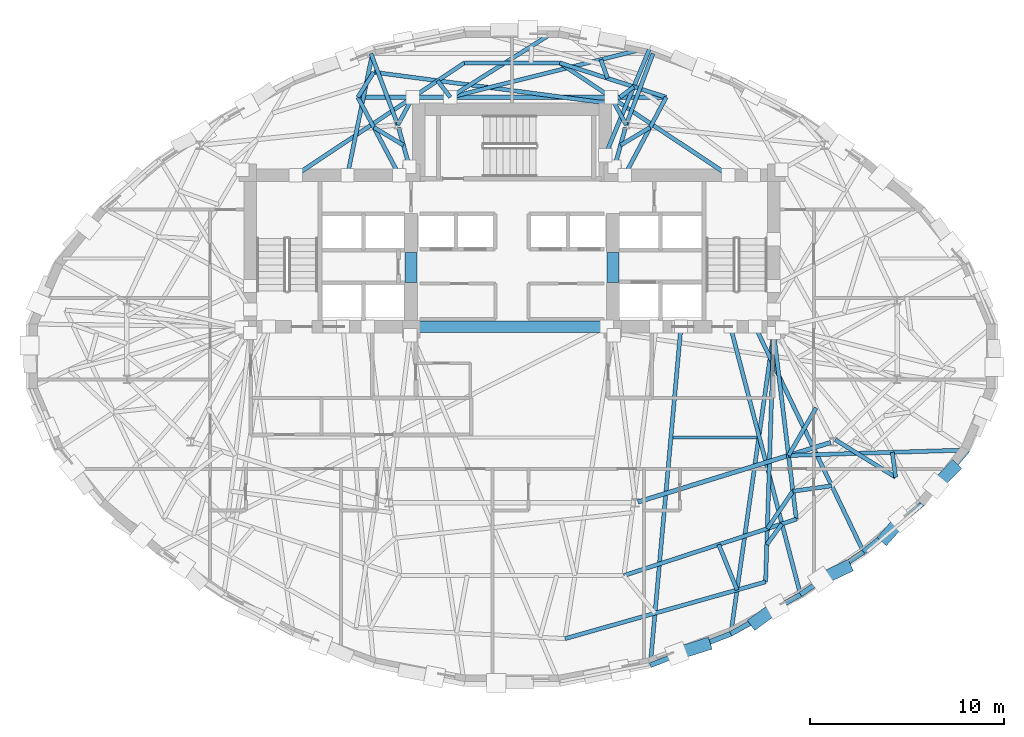
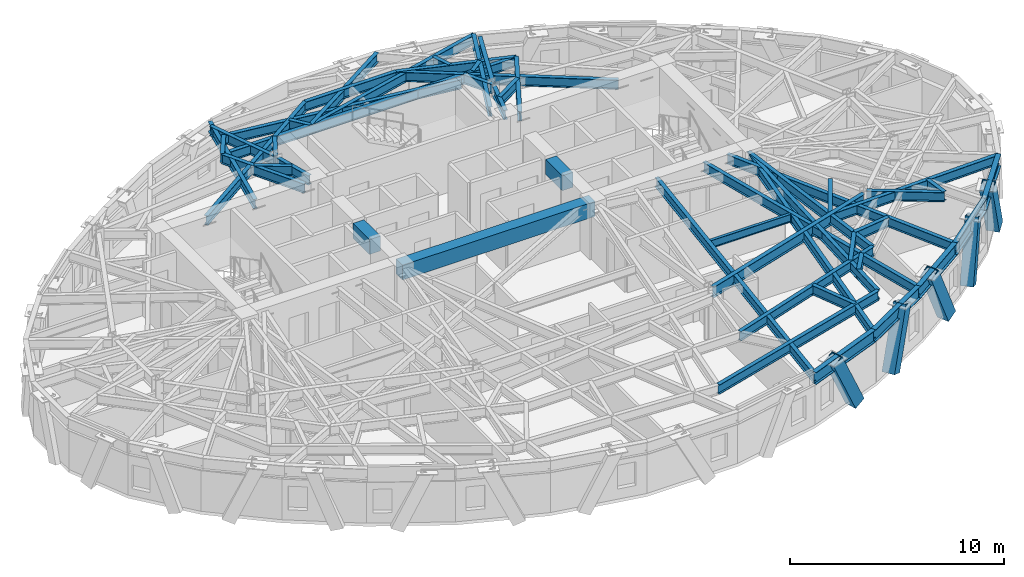
# One storey, part 3 of 14: 50 beams, 5 members.
"""IFC4 building model written with IfcOpenShell, lengths in metres."""

import ifcopenshell
import ifcopenshell.guid

model = None  # the IFC model being written
_history = None  # IfcOwnerHistory: only IFC2X3 demands one
_inside = {}  # id of a spatial element -> (the spatial element, [elements in it])
_under = {}  # id of a project, library or spatial element -> (it, [spatial elements below it])
_declared = {}  # id of a project -> (the project, [libraries it declares])
_typed = {}  # id of a type object -> (the type object, [elements of that type])
_made_of = {}  # id of a material, layer set ... -> (it, [elements and type objects made of it])


def new_model(schema):
    """Start an empty IFC model of exactly this schema.

    Asked for "IFC4X3", IfcOpenShell would pick the latest addendum, in which some entities
    have other attributes; the version numbers below select the first issue.
    IFC2X3 requires an IfcOwnerHistory on every rooted entity: one is made here for all.
    """
    global model, _history
    if schema == "IFC4X3":
        model = ifcopenshell.file(schema_version=(4, 3, 0, 0))
    else:
        model = ifcopenshell.file(schema=schema)
    _inside.clear()
    _under.clear()
    _declared.clear()
    _typed.clear()
    _made_of.clear()
    _history = None
    if model.schema == "IFC2X3":
        org = make("IfcOrganization", Name="unknown")
        user = make(
            "IfcPersonAndOrganization",
            ThePerson=make("IfcPerson", FamilyName="unknown"),
            TheOrganization=org,
        )
        app = make(
            "IfcApplication",
            ApplicationDeveloper=org,
            Version="unknown",
            ApplicationFullName="unknown",
            ApplicationIdentifier="unknown",
        )
        _history = make(
            "IfcOwnerHistory",
            OwningUser=user,
            OwningApplication=app,
            ChangeAction="ADDED",
            CreationDate=0,
        )
    return model


def make(cls, **values):
    """One entity of the class cls with the attributes given. An attribute that is None is left unset."""
    return model.create_entity(
        cls, **{name: value for name, value in values.items() if value is not None}
    )


def rooted(cls, **values):
    """An entity with a GlobalId (a new one), such as an element, a storey or a relation."""
    return make(cls, GlobalId=ifcopenshell.guid.new(), OwnerHistory=_history, **values)


def si_unit(unit_type, name, prefix=None):
    """IfcSIUnit, for example si_unit("LENGTHUNIT", "METRE", prefix="MILLI")."""
    return make("IfcSIUnit", UnitType=unit_type, Prefix=prefix, Name=name)


def assignment(units):
    """IfcUnitAssignment: the units of a project."""
    return None if units is None else make("IfcUnitAssignment", Units=units)


def point(xyz):
    """IfcCartesianPoint."""
    return None if xyz is None else make("IfcCartesianPoint", Coordinates=xyz)


def direction(xyz):
    """IfcDirection."""
    return None if xyz is None else make("IfcDirection", DirectionRatios=xyz)


def frame(location, z_axis=None, x_axis=None):
    """IfcAxis2Placement3D, a coordinate frame: its origin and axes. An axis left out is left unset."""
    return make(
        "IfcAxis2Placement3D",
        Location=point(location),
        Axis=direction(z_axis),
        RefDirection=direction(x_axis),
    )


def frame_2d(location, x_axis=None):
    """IfcAxis2Placement2D, a coordinate frame in the plane: its origin and x axis."""
    return make(
        "IfcAxis2Placement2D", Location=point(location), RefDirection=direction(x_axis)
    )


def origin():
    """The frame at (0, 0, 0) with its axes left unset."""
    return frame((0.0, 0.0, 0.0))


def origin_2d():
    """The frame at (0, 0) in the plane with its x axis left unset."""
    return frame_2d((0.0, 0.0))


def place(relative_to, where):
    """IfcLocalPlacement: puts the frame where relative to a parent placement (None: the world)."""
    return make(
        "IfcLocalPlacement", PlacementRelTo=relative_to, RelativePlacement=where
    )


def context(
    kind, dimensions, precision=None, world=None, true_north=None, identifier=None
):
    """IfcGeometricRepresentationContext, for example the 3D "Model" context."""
    return make(
        "IfcGeometricRepresentationContext",
        ContextIdentifier=identifier,
        ContextType=kind,
        CoordinateSpaceDimension=dimensions,
        Precision=precision,
        WorldCoordinateSystem=world,
        TrueNorth=true_north,
    )


def subcontext(parent, identifier, kind, view, scale=None):
    """IfcGeometricRepresentationSubContext, for example "Body" below "Model"."""
    return make(
        "IfcGeometricRepresentationSubContext",
        ContextIdentifier=identifier,
        ContextType=kind,
        ParentContext=parent,
        TargetScale=scale,
        TargetView=view,
    )


def project(units=None, contexts=None):
    """IfcProject with its units and contexts."""
    return rooted(
        "IfcProject",
        Name="project",
        RepresentationContexts=contexts,
        UnitsInContext=assignment(units),
    )


def spatial(cls, under=None, at=None, **own):
    """A site, building, storey or space (cls), placed at a placement, below another one or the project."""
    s = rooted(cls, ObjectPlacement=at, **own)
    if under is not None:
        _under.setdefault(under.id(), (under, []))[1].append(s)
    return s


def profile(cls, at=None, kind="AREA", **sizes):
    """A parametric profile (cls). Its sizes go by their IFC names, for example OverallWidth=200.0."""
    return make(cls, ProfileType=kind, Position=at, **sizes)


def rectangle(**sizes):
    """IfcRectangleProfileDef."""
    return profile("IfcRectangleProfileDef", **sizes)


def hollow_rectangle(**sizes):
    """IfcRectangleHollowProfileDef."""
    return profile("IfcRectangleHollowProfileDef", **sizes)


def i_section(**sizes):
    """IfcIShapeProfileDef."""
    return profile("IfcIShapeProfileDef", **sizes)


def extrude(swept, where, along, depth):
    """IfcExtrudedAreaSolid: the profile swept, set in the frame where, extruded along a direction by depth."""
    return make(
        "IfcExtrudedAreaSolid",
        SweptArea=swept,
        Position=where,
        ExtrudedDirection=direction(along),
        Depth=depth,
    )


def shape(context_of_items, identifier, shape_type, items):
    """IfcShapeRepresentation: the items that make up one representation, for example the "Body"."""
    return make(
        "IfcShapeRepresentation",
        ContextOfItems=context_of_items,
        RepresentationIdentifier=identifier,
        RepresentationType=shape_type,
        Items=items,
    )


def material(Name=None, Category=None):
    """IfcMaterial."""
    return make("IfcMaterial", Name=Name, Category=Category)


def material_profile(
    of_material, cross_section, Name=None, Category=None, Priority=None
):
    """IfcMaterialProfile: a cross section and its material."""
    return make(
        "IfcMaterialProfile",
        Name=Name,
        Material=of_material,
        Profile=cross_section,
        Priority=Priority,
        Category=Category,
    )


def profile_set(profiles, Name=None, composite=None):
    """IfcMaterialProfileSet."""
    return make(
        "IfcMaterialProfileSet",
        Name=Name,
        MaterialProfiles=profiles,
        CompositeProfile=composite,
    )


def made_of(thing, what):
    """Note that an element or type object is made of a material, layer set ...; save() writes the relation."""
    if what is not None:
        _made_of.setdefault(what.id(), (what, []))[1].append(thing)
    return thing


def type_object(cls, material=None, **own):
    """A type object (cls), such as IfcWallType, which elements share."""
    return made_of(rooted(cls, **own), material)


def element(
    cls,
    number,
    at=None,
    inside=None,
    cuts=None,
    type_object=None,
    material=None,
    context=None,
    identifier="Body",
    shape_type=None,
    held_by="IfcProductDefinitionShape",
    body=None,
    shapes=None,
    **own,
):
    """One element of the class cls, such as IfcWall. Its Tag is "e" and its number.

    at: its placement. inside: the storey or other place that contains it. cuts: it is an
    opening in that element (IfcRelVoidsElement). A single representation is given by context,
    identifier, shape_type and body (its items); several are given by shapes. held_by: the class
    of the entity that holds the representations. save() writes the other relations.
    """
    e = rooted(cls, Tag="e%d" % number, ObjectPlacement=at, **own)
    if body is not None:
        shapes = [shape(context, identifier, shape_type, body)]
    if shapes is not None:
        e.Representation = make(held_by, Representations=shapes)
    if inside is not None:
        _inside.setdefault(inside.id(), (inside, []))[1].append(e)
    if cuts is not None:
        rooted(
            "IfcRelVoidsElement", RelatingBuildingElement=cuts, RelatedOpeningElement=e
        )
    if type_object is not None:
        _typed.setdefault(type_object.id(), (type_object, []))[1].append(e)
    return made_of(e, material)


def aggregate(whole, parts):
    """IfcRelAggregates: a whole, such as a stair, and the parts it consists of."""
    return rooted("IfcRelAggregates", RelatingObject=whole, RelatedObjects=parts)


def save(model, path):
    """Write the relations noted so far, then the file.

    IfcRelAggregates (storeys below a building ...), IfcRelContainedInSpatialStructure (elements
    in a storey), IfcRelDefinesByType, IfcRelAssociatesMaterial and IfcRelDeclares: one each for
    every whole, place, type object, material and project.
    """
    for whole, parts in _under.values():
        aggregate(whole, parts)
    for where, things in _inside.values():
        rooted(
            "IfcRelContainedInSpatialStructure",
            RelatedElements=things,
            RelatingStructure=where,
        )
    for kind, things in _typed.values():
        rooted("IfcRelDefinesByType", RelatedObjects=things, RelatingType=kind)
    for what, things in _made_of.values():
        rooted("IfcRelAssociatesMaterial", RelatedObjects=things, RelatingMaterial=what)
    for by, libraries in _declared.values():
        rooted("IfcRelDeclares", RelatingContext=by, RelatedDefinitions=libraries)
    model.write(path)


model = new_model("IFC4")

# Units and contexts
model_context = context("Model", 3, precision=1e-05, world=origin(), true_north=direction((0.0, 1.0)))
body_context = subcontext(model_context, "Body", "Model", "MODEL_VIEW")
ifc_project = project(units=[si_unit("LENGTHUNIT", "METRE"), si_unit("AREAUNIT", "SQUARE_METRE"), si_unit("VOLUMEUNIT", "CUBIC_METRE"), si_unit("PLANEANGLEUNIT", "RADIAN"), si_unit("MASSUNIT", "GRAM", prefix="KILO")], contexts=[model_context])

# Site, building, storey
site_placement = place(None, origin())
site = spatial("IfcSite", under=ifc_project, at=site_placement, CompositionType="ELEMENT")
building_placement = place(site_placement, origin())
building = spatial("IfcBuilding", under=site, at=building_placement, Name="Keldmark Tower", CompositionType="ELEMENT")
storey_placement = place(building_placement, frame((0.0, 0.0, 179.0)))
storey = spatial("IfcBuildingStorey", under=building, at=storey_placement, Name="L49", CompositionType="ELEMENT", Elevation=179.0)

# Beams
ifc_material_1 = material(Name="Steel ASTM A992 Grade 50", Category="steel")
ifc_material_profile_1 = material_profile(ifc_material_1, i_section(OverallWidth=0.153076171875, OverallDepth=0.455078125, WebThickness=0.008056640625, FlangeThickness=0.01318359375, at=origin_2d()), Name="W18X40")
ifc_profile_set_1 = profile_set([ifc_material_profile_1], Name="Steel ASTM A992 Grade 50")
beam_type_1 = type_object("IfcBeamType", Name="Composite Floor Joist W18X40", PredefinedType="JOIST", material=ifc_profile_set_1)
beam_1_placement = place(storey_placement, frame((8.27978515625, -4.179931640625, 2.79248046875), z_axis=(1.0, 0.0, 0.0), x_axis=(0.0, 1.0, 0.0)))
element("IfcBeam", 1, at=beam_1_placement, inside=storey, type_object=beam_type_1, Name="L49 Composite Floor Joist J03", PredefinedType="JOIST", context=body_context, shape_type="SweptSolid", body=[
    extrude(i_section(OverallWidth=0.153076171875, OverallDepth=0.455078125, WebThickness=0.008056640625, FlangeThickness=0.01318359375, at=origin_2d()), origin(), (0.0, 0.0, 1.0), 4.33203125),
])
ifc_material_2 = material(Name="Concrete C50/60", Category="concrete")
ifc_material_profile_2 = material_profile(ifc_material_2, rectangle(XDim=0.60009765625, YDim=0.85009765625, at=origin_2d()), Name="RCB600X850")
ifc_profile_set_2 = profile_set([ifc_material_profile_2], Name="Concrete C50/60")
beam_type_2 = type_object("IfcBeamType", Name="Core Coupling Beam RCB600X850", PredefinedType="USERDEFINED", material=ifc_profile_set_2)
for number, where, z_axis, x_axis, name in (
    (2, (-5.199951171875, 3.800048828125, 2.594970703125), (0.0, 1.0, 0.0), (-1.0, 0.0, 0.0), "L49 West Core Coupling Beam"),
    (3, (5.199951171875, 3.800048828125, 2.594970703125), (0.0, 1.0, 0.0), (-1.0, 0.0, 0.0), "L49 East Core Coupling Beam"),
):
    element("IfcBeam", number, at=place(storey_placement, frame(where, z_axis=z_axis, x_axis=x_axis)), inside=storey, type_object=beam_type_2, Name=name, ObjectType="COUPLING BEAM", PredefinedType="USERDEFINED", context=body_context, shape_type="SweptSolid", body=[
        extrude(rectangle(XDim=0.60009765625, YDim=0.85009765625, at=origin_2d()), origin(), (0.0, 0.0, 1.0), 1.550048828125),
    ])
beam_2_placement = place(storey_placement, frame((-5.199951171875, 1.52490234375, 2.594970703125), z_axis=(1.0, 0.0, 0.0), x_axis=(0.0, 1.0, 0.0)))
element("IfcBeam", 4, at=beam_2_placement, inside=storey, type_object=beam_type_2, Name="L49 Central South Core Coupling Beam", ObjectType="COUPLING BEAM", PredefinedType="USERDEFINED", context=body_context, shape_type="SweptSolid", body=[
    extrude(rectangle(XDim=0.60009765625, YDim=0.85009765625, at=origin_2d()), origin(), (0.0, 0.0, 1.0), 10.39990234375),
])

# Members
ifc_material_3 = material(Name="Steel ASTM A572 Grade 50", Category="steel")
ifc_material_profile_3 = material_profile(ifc_material_3, hollow_rectangle(XDim=0.64990234375, YDim=0.64990234375, WallThickness=0.0400390625, at=origin_2d()), Name="BOX650X650X40")
ifc_profile_set_3 = profile_set([ifc_material_profile_3], Name="Steel ASTM A572 Grade 50")
member_type = type_object("IfcMemberType", Name="Diagrid Zone 3 Brace BOX650X650X40", PredefinedType="BRACE", material=ifc_profile_set_3)
member_1_placement = place(storey_placement, frame((9.931884765625, -14.861328125, -0.260009765625), z_axis=(-0.412550567657, -0.129644817023, 0.901661938059), x_axis=(0.299797274009, -0.954002932122, 0.0)))
element("IfcMember", 5, at=member_1_placement, inside=storey, type_object=member_type, Name="L49 Perimeter Diagrid Brace 13B", PredefinedType="BRACE", context=body_context, shape_type="SweptSolid", body=[
    extrude(hollow_rectangle(XDim=0.64990234375, YDim=0.64990234375, WallThickness=0.0400390625, at=origin_2d()), origin(), (0.0, 0.0, 1.0), 3.504638671875),
])
member_2_placement = place(storey_placement, frame((12.54931640625, -13.68408203125, -0.260009765625), z_axis=(0.315004567601, 0.231008091119, 0.920547328619), x_axis=(-0.591371556917, 0.806399207384, 0.0)))
element("IfcMember", 6, at=member_2_placement, inside=storey, type_object=member_type, Name="L49 Perimeter Diagrid Brace 14A", PredefinedType="BRACE", context=body_context, shape_type="SweptSolid", body=[
    extrude(hollow_rectangle(XDim=0.64990234375, YDim=0.64990234375, WallThickness=0.0400390625, at=origin_2d()), origin(), (0.0, 0.0, 1.0), 3.4326171875),
])
member_3_placement = place(storey_placement, frame((17.175537109375, -10.881103515625, -0.260009765625), z_axis=(-0.369048448136, -0.175922024856, 0.912608724536), x_axis=(0.430301747603, -0.902685109, 0.0)))
element("IfcMember", 7, at=member_3_placement, inside=storey, type_object=member_type, Name="L49 Perimeter Diagrid Brace 14B", PredefinedType="BRACE", context=body_context, shape_type="SweptSolid", body=[
    extrude(hollow_rectangle(XDim=0.64990234375, YDim=0.64990234375, WallThickness=0.0400390625, at=origin_2d()), origin(), (0.0, 0.0, 1.0), 3.46240234375),
])
member_4_placement = place(storey_placement, frame((19.2392578125, -9.31787109375, -0.260009765625), z_axis=(0.237081549411, 0.267889164017, 0.933824252593), x_axis=(-0.748854110819, 0.662734879653, 0.0)))
element("IfcMember", 8, at=member_4_placement, inside=storey, type_object=member_type, Name="L49 Perimeter Diagrid Brace 15A", PredefinedType="BRACE", context=body_context, shape_type="SweptSolid", body=[
    extrude(hollow_rectangle(XDim=0.64990234375, YDim=0.64990234375, WallThickness=0.0400390625, at=origin_2d()), origin(), (0.0, 0.0, 1.0), 3.3837890625),
])
member_5_placement = place(storey_placement, frame((22.719482421875, -5.76416015625, -0.260009765625), z_axis=(-0.262104170106, -0.266904875245, 0.927395919542), x_axis=(0.713494326894, -0.700661006115, 0.0)))
element("IfcMember", 9, at=member_5_placement, inside=storey, type_object=member_type, Name="L49 Perimeter Diagrid Brace 15B", PredefinedType="BRACE", context=body_context, shape_type="SweptSolid", body=[
    extrude(hollow_rectangle(XDim=0.64990234375, YDim=0.64990234375, WallThickness=0.0400390625, at=origin_2d()), origin(), (0.0, 0.0, 1.0), 3.4072265625),
])

# Beams
ifc_material_4 = material(Name="Steel ASTM A992 Grade 50", Category="steel")
ifc_material_profile_4 = material_profile(ifc_material_4, i_section(OverallWidth=0.22900390625, OverallDepth=0.612060546875, WebThickness=0.011962890625, FlangeThickness=0.01953125, at=origin_2d()), Name="W24X84")
ifc_profile_set_4 = profile_set([ifc_material_profile_4], Name="Steel ASTM A992 Grade 50")
beam_type_3 = type_object("IfcBeamType", Name="Primary Floor Girder W24X84", PredefinedType="BEAM", material=ifc_profile_set_4)
beam_3_placement = place(storey_placement, frame((6.485107421875, -7.5048828125, 2.714111328125), z_axis=(0.955494563145, 0.295008711398, 0.0), x_axis=(-0.295008711398, 0.955494563145, 0.0)))
element("IfcBeam", 10, at=beam_3_placement, inside=storey, type_object=beam_type_3, Name="L49 Floor Ring Girder FG-R10", PredefinedType="BEAM", context=body_context, shape_type="SweptSolid", body=[
    extrude(i_section(OverallWidth=0.22900390625, OverallDepth=0.612060546875, WebThickness=0.011962890625, FlangeThickness=0.01953125, at=origin_2d()), origin(), (0.0, 0.0, 1.0), 10.39013671875),
])
ifc_material_5 = material(Name="Steel ASTM A992 Grade 50", Category="steel")
ifc_material_profile_5 = material_profile(ifc_material_5, i_section(OverallWidth=0.2099609375, OverallDepth=0.537109375, WebThickness=0.010986328125, FlangeThickness=0.017333984375, at=origin_2d()), Name="W21X68")
ifc_profile_set_5 = profile_set([ifc_material_profile_5], Name="Steel ASTM A992 Grade 50")
beam_type_4 = type_object("IfcBeamType", Name="Radial Tie Girder W21X68", PredefinedType="BEAM", material=ifc_profile_set_5)
for number, where, z_axis, x_axis, name in (
    (11, (5.843017578125, 11.7802734375, 2.75146484375), (-0.265992411, -0.963975122755, 0.0), (0.963975122755, -0.265992411, 0.0), "L49 Floor Radial Girder FG-C03"),
    (12, (-5.843017578125, 11.7802734375, 2.75146484375), (0.265992411, -0.963975122755, 0.0), (0.963975122755, 0.265992411, 0.0), "L49 Floor Radial Girder FG-C04"),
):
    element("IfcBeam", number, at=place(storey_placement, frame(where, z_axis=z_axis, x_axis=x_axis)), inside=storey, type_object=beam_type_4, Name=name, PredefinedType="BEAM", context=body_context, shape_type="SweptSolid", body=[
        extrude(i_section(OverallWidth=0.2099609375, OverallDepth=0.537109375, WebThickness=0.010986328125, FlangeThickness=0.017333984375, at=origin_2d()), origin(), (0.0, 0.0, 1.0), 2.09716796875),
    ])
beam_4_placement = place(storey_placement, frame((5.591796875, 10.87060546875, 2.75146484375), z_axis=(0.856728653956, 0.51576740251, 0.0), x_axis=(-0.51576740251, 0.856728653956, 0.0)))
element("IfcBeam", 13, at=beam_4_placement, inside=storey, type_object=beam_type_4, Name="L49 Framing Pin Header PH-001", PredefinedType="BEAM", context=body_context, shape_type="SweptSolid", body=[
    extrude(i_section(OverallWidth=0.2099609375, OverallDepth=0.537109375, WebThickness=0.010986328125, FlangeThickness=0.017333984375, at=origin_2d()), origin(), (0.0, 0.0, 1.0), 1.77783203125),
])
beam_5_placement = place(storey_placement, frame((5.80712890625, 9.324951171875, 2.75146484375), z_axis=(0.469037401111, 0.883178303832, 0.0), x_axis=(-0.883178303832, 0.469037401111, 0.0)))
element("IfcBeam", 14, at=beam_5_placement, inside=storey, type_object=beam_type_4, Name="L49 Sub-Ring Step Girder STP1-M02", PredefinedType="BEAM", context=body_context, shape_type="SweptSolid", body=[
    extrude(i_section(OverallWidth=0.2099609375, OverallDepth=0.537109375, WebThickness=0.010986328125, FlangeThickness=0.017333984375, at=origin_2d()), origin(), (0.0, 0.0, 1.0), 4.545166015625),
])
beam_6_placement = place(storey_placement, frame((-5.591796875, 10.87060546875, 2.75146484375), z_axis=(-0.856728653956, 0.51576740251, 0.0), x_axis=(-0.51576740251, -0.856728653956, 0.0)))
element("IfcBeam", 15, at=beam_6_placement, inside=storey, type_object=beam_type_4, Name="L49 Framing Pin Header PH-002", PredefinedType="BEAM", context=body_context, shape_type="SweptSolid", body=[
    extrude(i_section(OverallWidth=0.2099609375, OverallDepth=0.537109375, WebThickness=0.010986328125, FlangeThickness=0.017333984375, at=origin_2d()), origin(), (0.0, 0.0, 1.0), 1.77783203125),
])
beam_7_placement = place(storey_placement, frame((-5.80712890625, 9.324951171875, 2.75146484375), z_axis=(-0.469037401111, 0.883178303832, 0.0), x_axis=(-0.883178303832, -0.469037401111, 0.0)))
element("IfcBeam", 16, at=beam_7_placement, inside=storey, type_object=beam_type_4, Name="L49 Sub-Ring Step Girder STP1-M05", PredefinedType="BEAM", context=body_context, shape_type="SweptSolid", body=[
    extrude(i_section(OverallWidth=0.2099609375, OverallDepth=0.537109375, WebThickness=0.010986328125, FlangeThickness=0.017333984375, at=origin_2d()), origin(), (0.0, 0.0, 1.0), 4.545166015625),
])
beam_8_placement = place(storey_placement, frame((15.661865234375, -2.6572265625, 2.75146484375), z_axis=(-0.501056642961, -0.865414490602, 0.0), x_axis=(0.865414490602, -0.501056642961, 0.0)))
element("IfcBeam", 17, at=beam_8_placement, inside=storey, type_object=beam_type_4, Name="L49 Framing Pin Header PH-007", PredefinedType="BEAM", context=body_context, shape_type="SweptSolid", body=[
    extrude(i_section(OverallWidth=0.2099609375, OverallDepth=0.537109375, WebThickness=0.010986328125, FlangeThickness=0.017333984375, at=origin_2d()), origin(), (0.0, 0.0, 1.0), 2.834228515625),
])
beam_9_placement = place(storey_placement, frame((13.47509765625, 1.199951171875, 2.75146484375), z_axis=(0.120593299153, -0.992701997681, 0.0), x_axis=(0.992701997681, 0.120593299153, 0.0)))
element("IfcBeam", 18, at=beam_9_placement, inside=storey, type_object=beam_type_4, Name="L49 Sub-Ring Step Girder STP1-M11", PredefinedType="BEAM", context=body_context, shape_type="SweptSolid", body=[
    extrude(i_section(OverallWidth=0.2099609375, OverallDepth=0.537109375, WebThickness=0.010986328125, FlangeThickness=0.017333984375, at=origin_2d()), origin(), (0.0, 0.0, 1.0), 9.658935546875),
])
beam_10_placement = place(storey_placement, frame((7.93896484375, 13.339111328125, 2.75146484375), z_axis=(-1.0, 0.0, 0.0), x_axis=(0.0, -1.0, 0.0)))
element("IfcBeam", 19, at=beam_10_placement, inside=storey, type_object=beam_type_4, Name="L49 Perimeter Collector Ring Beam CRG1-M02", PredefinedType="BEAM", context=body_context, shape_type="SweptSolid", body=[
    extrude(i_section(OverallWidth=0.2099609375, OverallDepth=0.537109375, WebThickness=0.010986328125, FlangeThickness=0.017333984375, at=origin_2d()), origin(), (0.0, 0.0, 1.0), 15.8779296875),
])
beam_11_placement = place(storey_placement, frame((5.765625, -11.29296875, 2.75146484375), z_axis=(0.950389680724, 0.31106181825, 0.0), x_axis=(-0.31106181825, 0.950389680724, 0.0)))
element("IfcBeam", 20, at=beam_11_placement, inside=storey, type_object=beam_type_4, Name="L49 Perimeter Collector Ring Beam CRG1-M10", PredefinedType="BEAM", context=body_context, shape_type="SweptSolid", body=[
    extrude(i_section(OverallWidth=0.2099609375, OverallDepth=0.537109375, WebThickness=0.010986328125, FlangeThickness=0.017333984375, at=origin_2d()), origin(), (0.0, 0.0, 1.0), 9.33740234375),
])
beam_12_placement = place(storey_placement, frame((14.465087890625, -6.9501953125, 2.75146484375), z_axis=(-0.564485173665, -0.825443207442, 0.0), x_axis=(0.825443207442, -0.564485173665, 0.0)))
element("IfcBeam", 21, at=beam_12_placement, inside=storey, type_object=beam_type_4, Name="L49 Framing Pin Header PH-013", PredefinedType="BEAM", context=body_context, shape_type="SweptSolid", body=[
    extrude(i_section(OverallWidth=0.2099609375, OverallDepth=0.537109375, WebThickness=0.010986328125, FlangeThickness=0.017333984375, at=origin_2d()), origin(), (0.0, 0.0, 1.0), 2.334228515625),
])
beam_13_placement = place(storey_placement, frame((13.47509765625, 1.199951171875, 2.75146484375), z_axis=(-0.032495875992, -0.999471869561, 0.0), x_axis=(0.999471869561, -0.032495875992, 0.0)))
element("IfcBeam", 22, at=beam_13_placement, inside=storey, type_object=beam_type_4, Name="L49 Sub-Ring Step Girder STP2-M11", PredefinedType="BEAM", context=body_context, shape_type="SweptSolid", body=[
    extrude(i_section(OverallWidth=0.2099609375, OverallDepth=0.537109375, WebThickness=0.010986328125, FlangeThickness=0.017333984375, at=origin_2d()), origin(), (0.0, 0.0, 1.0), 12.82470703125),
])
beam_14_placement = place(storey_placement, frame((2.730712890625, -14.54296875, 2.75146484375), z_axis=(0.962153963902, 0.272506421481, 0.0), x_axis=(-0.272506421481, 0.962153963902, 0.0)))
element("IfcBeam", 23, at=beam_14_placement, inside=storey, type_object=beam_type_4, Name="L49 Perimeter Collector Ring Beam CRG2-M10", PredefinedType="BEAM", context=body_context, shape_type="SweptSolid", body=[
    extrude(i_section(OverallWidth=0.2099609375, OverallDepth=0.537109375, WebThickness=0.010986328125, FlangeThickness=0.017333984375, at=origin_2d()), origin(), (0.0, 0.0, 1.0), 10.73388671875),
])
beam_15_placement = place(storey_placement, frame((5.880126953125, 11.915283203125, 2.75146484375), z_axis=(-0.475466552619, 0.879733799135, 0.0), x_axis=(-0.879733799135, -0.475466552619, 0.0)))
element("IfcBeam", 24, at=beam_15_placement, inside=storey, type_object=beam_type_4, Name="L49 Framing Pin Header PH-019", PredefinedType="BEAM", context=body_context, shape_type="SweptSolid", body=[
    extrude(i_section(OverallWidth=0.2099609375, OverallDepth=0.537109375, WebThickness=0.010986328125, FlangeThickness=0.017333984375, at=origin_2d()), origin(), (0.0, 0.0, 1.0), 1.618408203125),
])
beam_16_placement = place(storey_placement, frame((11.1357421875, 9.324951171875, 2.75146484375), z_axis=(-0.832226643546, 0.554435581264, 0.0), x_axis=(-0.554435581264, -0.832226643546, 0.0)))
element("IfcBeam", 25, at=beam_16_placement, inside=storey, type_object=beam_type_4, Name="L49 Intermediate Radial Step Girder RT-08M", PredefinedType="BEAM", context=body_context, shape_type="SweptSolid", body=[
    extrude(i_section(OverallWidth=0.2099609375, OverallDepth=0.537109375, WebThickness=0.010986328125, FlangeThickness=0.017333984375, at=origin_2d()), origin(), (0.0, 0.0, 1.0), 10.433837890625),
])
beam_17_placement = place(storey_placement, frame((7.93896484375, 13.339111328125, 2.75146484375), z_axis=(-0.951663506568, 0.307142589469, 0.0), x_axis=(-0.307142589469, -0.951663506568, 0.0)))
element("IfcBeam", 26, at=beam_17_placement, inside=storey, type_object=beam_type_4, Name="L49 Local Collector Chord RT-08C", PredefinedType="BEAM", context=body_context, shape_type="SweptSolid", body=[
    extrude(i_section(OverallWidth=0.2099609375, OverallDepth=0.537109375, WebThickness=0.010986328125, FlangeThickness=0.017333984375, at=origin_2d()), origin(), (0.0, 0.0, 1.0), 5.76513671875),
])
beam_18_placement = place(storey_placement, frame((-5.880126953125, 11.915283203125, 2.75146484375), z_axis=(0.475466552619, 0.879733799135, 0.0), x_axis=(-0.879733799135, 0.475466552619, 0.0)))
element("IfcBeam", 27, at=beam_18_placement, inside=storey, type_object=beam_type_4, Name="L49 Framing Pin Header PH-020", PredefinedType="BEAM", context=body_context, shape_type="SweptSolid", body=[
    extrude(i_section(OverallWidth=0.2099609375, OverallDepth=0.537109375, WebThickness=0.010986328125, FlangeThickness=0.017333984375, at=origin_2d()), origin(), (0.0, 0.0, 1.0), 1.618408203125),
])
beam_19_placement = place(storey_placement, frame((-11.1357421875, 9.324951171875, 2.75146484375), z_axis=(0.832226643546, 0.554435581264, 0.0), x_axis=(-0.554435581264, 0.832226643546, 0.0)))
element("IfcBeam", 28, at=beam_19_placement, inside=storey, type_object=beam_type_4, Name="L49 Intermediate Radial Step Girder RT-09M", PredefinedType="BEAM", context=body_context, shape_type="SweptSolid", body=[
    extrude(i_section(OverallWidth=0.2099609375, OverallDepth=0.537109375, WebThickness=0.010986328125, FlangeThickness=0.017333984375, at=origin_2d()), origin(), (0.0, 0.0, 1.0), 10.433837890625),
])
beam_20_placement = place(storey_placement, frame((2.452392578125, 15.10986328125, 2.75146484375), z_axis=(-1.0, 0.0, 0.0), x_axis=(0.0, -1.0, 0.0)))
element("IfcBeam", 29, at=beam_20_placement, inside=storey, type_object=beam_type_4, Name="L49 Local Collector Chord RT-09C", PredefinedType="BEAM", context=body_context, shape_type="SweptSolid", body=[
    extrude(i_section(OverallWidth=0.2099609375, OverallDepth=0.537109375, WebThickness=0.010986328125, FlangeThickness=0.017333984375, at=origin_2d()), origin(), (0.0, 0.0, 1.0), 4.90478515625),
])
beam_21_placement = place(storey_placement, frame((-3.175537109375, 13.339111328125, 2.75146484375), z_axis=(-0.609655893608, 0.792666191652, 0.0), x_axis=(-0.792666191652, -0.609655893608, 0.0)))
element("IfcBeam", 30, at=beam_21_placement, inside=storey, type_object=beam_type_4, Name="L49 Framing Pin Header PH-021", PredefinedType="BEAM", context=body_context, shape_type="SweptSolid", body=[
    extrude(i_section(OverallWidth=0.2099609375, OverallDepth=0.537109375, WebThickness=0.010986328125, FlangeThickness=0.017333984375, at=origin_2d()), origin(), (0.0, 0.0, 1.0), 1.0751953125),
])
beam_22_placement = place(storey_placement, frame((4.800048828125, 13.050048828125, 2.75146484375), z_axis=(-0.991369362689, 0.131098385657, 0.0), x_axis=(-0.131098385657, -0.991369362689, 0.0)))
element("IfcBeam", 31, at=beam_22_placement, inside=storey, type_object=beam_type_4, Name="L49 Intermediate Radial Step Girder RT-10M", PredefinedType="BEAM", context=body_context, shape_type="SweptSolid", body=[
    extrude(i_section(OverallWidth=0.2099609375, OverallDepth=0.537109375, WebThickness=0.010986328125, FlangeThickness=0.017333984375, at=origin_2d()), origin(), (0.0, 0.0, 1.0), 12.024658203125),
])
beam_23_placement = place(storey_placement, frame((-7.93896484375, 13.339111328125, 2.75146484375), z_axis=(0.536357553269, 0.843990861948, 0.0), x_axis=(-0.843990861948, 0.536357553269, 0.0)))
element("IfcBeam", 32, at=beam_23_placement, inside=storey, type_object=beam_type_4, Name="L49 Local Collector Chord RT-10C", PredefinedType="BEAM", context=body_context, shape_type="SweptSolid", body=[
    extrude(i_section(OverallWidth=0.2099609375, OverallDepth=0.537109375, WebThickness=0.010986328125, FlangeThickness=0.017333984375, at=origin_2d()), origin(), (0.0, 0.0, 1.0), 1.525390625),
])
beam_24_placement = place(storey_placement, frame((8.699951171875, 1.52490234375, 2.75146484375), z_axis=(-0.090182482879, -0.99592525813, 0.0), x_axis=(0.99592525813, -0.090182482879, 0.0)))
element("IfcBeam", 33, at=beam_24_placement, inside=storey, type_object=beam_type_4, Name="L49 Perimeter Radial Tie Girder RT-26", PredefinedType="BEAM", context=body_context, shape_type="SweptSolid", body=[
    extrude(i_section(OverallWidth=0.2099609375, OverallDepth=0.537109375, WebThickness=0.010986328125, FlangeThickness=0.017333984375, at=origin_2d()), origin(), (0.0, 0.0, 1.0), 17.510009765625),
])
beam_25_placement = place(storey_placement, frame((10.646484375, -9.695556640625, 2.75146484375), z_axis=(0.37424370396, -0.927330388829, 0.0), x_axis=(0.927330388829, 0.37424370396, 0.0)))
element("IfcBeam", 34, at=beam_25_placement, inside=storey, type_object=beam_type_4, Name="L49 Framing Pin Header PH-037", PredefinedType="BEAM", context=body_context, shape_type="SweptSolid", body=[
    extrude(i_section(OverallWidth=0.2099609375, OverallDepth=0.537109375, WebThickness=0.010986328125, FlangeThickness=0.017333984375, at=origin_2d()), origin(), (0.0, 0.0, 1.0), 2.521240234375),
])
beam_26_placement = place(storey_placement, frame((13.47509765625, 1.199951171875, 2.75146484375), z_axis=(-0.141008521913, -0.99000838216, 0.0), x_axis=(0.99000838216, -0.141008521913, 0.0)))
element("IfcBeam", 35, at=beam_26_placement, inside=storey, type_object=beam_type_4, Name="L49 Perimeter Radial Tie Girder RT-27", PredefinedType="BEAM", context=body_context, shape_type="SweptSolid", body=[
    extrude(i_section(OverallWidth=0.2099609375, OverallDepth=0.537109375, WebThickness=0.010986328125, FlangeThickness=0.017333984375, at=origin_2d()), origin(), (0.0, 0.0, 1.0), 15.648193359375),
])
beam_27_placement = place(storey_placement, frame((13.120849609375, -9.6953125, 2.75146484375), z_axis=(0.591603858114, 0.806228798211, 0.0), x_axis=(-0.806228798211, 0.591603858114, 0.0)))
element("IfcBeam", 36, at=beam_27_placement, inside=storey, type_object=beam_type_4, Name="L49 Framing Pin Header PH-038", PredefinedType="BEAM", context=body_context, shape_type="SweptSolid", body=[
    extrude(i_section(OverallWidth=0.2099609375, OverallDepth=0.537109375, WebThickness=0.010986328125, FlangeThickness=0.017333984375, at=origin_2d()), origin(), (0.0, 0.0, 1.0), 1.32177734375),
])
beam_28_placement = place(storey_placement, frame((11.25, 1.52490234375, 2.75146484375), z_axis=(0.252771798835, -0.96752592612, 0.0), x_axis=(0.96752592612, 0.252771798835, 0.0)))
element("IfcBeam", 37, at=beam_28_placement, inside=storey, type_object=beam_type_4, Name="L49 Perimeter Radial Tie Girder RT-28", PredefinedType="BEAM", context=body_context, shape_type="SweptSolid", body=[
    extrude(i_section(OverallWidth=0.2099609375, OverallDepth=0.537109375, WebThickness=0.010986328125, FlangeThickness=0.017333984375, at=origin_2d()), origin(), (0.0, 0.0, 1.0), 14.258056640625),
])
beam_29_placement = place(storey_placement, frame((14.465087890625, -6.9501953125, 2.75146484375), z_axis=(0.990375245622, 0.138408355454, 0.0), x_axis=(-0.138408355454, 0.990375245622, 0.0)))
element("IfcBeam", 38, at=beam_29_placement, inside=storey, type_object=beam_type_4, Name="L49 Framing Pin Header PH-039", PredefinedType="BEAM", context=body_context, shape_type="SweptSolid", body=[
    extrude(i_section(OverallWidth=0.2099609375, OverallDepth=0.537109375, WebThickness=0.010986328125, FlangeThickness=0.017333984375, at=origin_2d()), origin(), (0.0, 0.0, 1.0), 2.019775390625),
])
beam_30_placement = place(storey_placement, frame((12.52490234375, 1.52490234375, 2.75146484375), z_axis=(0.43332200241, -0.90123917038, 0.0), x_axis=(0.90123917038, 0.43332200241, 0.0)))
element("IfcBeam", 39, at=beam_30_placement, inside=storey, type_object=beam_type_4, Name="L49 Perimeter Radial Tie Girder RT-29", PredefinedType="BEAM", context=body_context, shape_type="SweptSolid", body=[
    extrude(i_section(OverallWidth=0.2099609375, OverallDepth=0.537109375, WebThickness=0.010986328125, FlangeThickness=0.017333984375, at=origin_2d()), origin(), (0.0, 0.0, 1.0), 12.864990234375),
])
beam_31_placement = place(storey_placement, frame((16.646728515625, -4.300537109375, 2.75146484375), z_axis=(0.849673149454, -0.52730971838, 0.0), x_axis=(0.52730971838, 0.849673149454, 0.0)))
element("IfcBeam", 40, at=beam_31_placement, inside=storey, type_object=beam_type_4, Name="L49 Local Collector Chord RT-30C", PredefinedType="BEAM", context=body_context, shape_type="SweptSolid", body=[
    extrude(i_section(OverallWidth=0.2099609375, OverallDepth=0.537109375, WebThickness=0.010986328125, FlangeThickness=0.017333984375, at=origin_2d()), origin(), (0.0, 0.0, 1.0), 3.659423828125),
])
for number, where, z_axis, x_axis, name in (
    (41, (-5.880126953125, 11.915283203125, 2.75146484375), (-0.352263014467, 0.935901046393, 0.0), (-0.935901046393, -0.352263014467, 0.0), "L49 North Column Cantilever Girder West FG-TCN-W"),
    (42, (5.880126953125, 11.915283203125, 2.75146484375), (0.352263014467, 0.935901046393, 0.0), (-0.935901046393, 0.352263014467, 0.0), "L49 North Column Cantilever Girder East FG-TCN-E"),
):
    element("IfcBeam", number, at=place(storey_placement, frame(where, z_axis=z_axis, x_axis=x_axis)), inside=storey, type_object=beam_type_4, Name=name, PredefinedType="BEAM", context=body_context, shape_type="SweptSolid", body=[
        extrude(i_section(OverallWidth=0.2099609375, OverallDepth=0.537109375, WebThickness=0.010986328125, FlangeThickness=0.017333984375, at=origin_2d()), origin(), (0.0, 0.0, 1.0), 3.919921875),
    ])
beam_32_placement = place(storey_placement, frame((5.557373046875, 13.339111328125, 2.75146484375), z_axis=(0.798654616793, 0.601789666807, 0.0), x_axis=(-0.601789666807, 0.798654616793, 0.0)))
element("IfcBeam", 43, at=beam_32_placement, inside=storey, type_object=beam_type_4, Name="L49 Framing Pin Header PH-043", PredefinedType="BEAM", context=body_context, shape_type="SweptSolid", body=[
    extrude(i_section(OverallWidth=0.2099609375, OverallDepth=0.537109375, WebThickness=0.010986328125, FlangeThickness=0.017333984375, at=origin_2d()), origin(), (0.0, 0.0, 1.0), 0.89404296875),
])
beam_33_placement = place(storey_placement, frame((4.800048828125, 10.35009765625, 2.75146484375), z_axis=(0.384980561649, 0.922924681192, 0.0), x_axis=(-0.922924681192, 0.384980561649, 0.0)))
element("IfcBeam", 44, at=beam_33_placement, inside=storey, type_object=beam_type_4, Name="L49 Perimeter Radial Tie Girder RT-07R", PredefinedType="BEAM", context=body_context, shape_type="SweptSolid", body=[
    extrude(i_section(OverallWidth=0.2099609375, OverallDepth=0.537109375, WebThickness=0.010986328125, FlangeThickness=0.017333984375, at=origin_2d()), origin(), (0.0, 0.0, 1.0), 6.0283203125),
])
beam_34_placement = place(storey_placement, frame((7.120849609375, 15.913818359375, 2.75146484375), z_axis=(-0.970128967453, -0.24258974939, 0.0), x_axis=(0.24258974939, -0.970128967453, 0.0)))
element("IfcBeam", 45, at=beam_34_placement, inside=storey, type_object=beam_type_4, Name="L49 Straddling Support Chord RT-08RB", PredefinedType="BEAM", context=body_context, shape_type="SweptSolid", body=[
    extrude(i_section(OverallWidth=0.2099609375, OverallDepth=0.537109375, WebThickness=0.010986328125, FlangeThickness=0.017333984375, at=origin_2d()), origin(), (0.0, 0.0, 1.0), 10.613525390625),
])
beam_35_placement = place(storey_placement, frame((4.92138671875, 14.31298828125, 2.75146484375), z_axis=(-0.336109876329, 0.941822781119, 0.0), x_axis=(-0.941822781119, -0.336109876329, 0.0)))
element("IfcBeam", 46, at=beam_35_placement, inside=storey, type_object=beam_type_4, Name="L49 Framing Pin Header PH-044", PredefinedType="BEAM", context=body_context, shape_type="SweptSolid", body=[
    extrude(i_section(OverallWidth=0.2099609375, OverallDepth=0.537109375, WebThickness=0.010986328125, FlangeThickness=0.017333984375, at=origin_2d()), origin(), (0.0, 0.0, 1.0), 1.024169921875),
])
beam_36_placement = place(storey_placement, frame((2.452392578125, 16.880615234375, 2.75146484375), z_axis=(-0.846368927235, -0.532597070036, 0.0), x_axis=(0.532597070036, -0.846368927235, 0.0)))
element("IfcBeam", 47, at=beam_36_placement, inside=storey, type_object=beam_type_4, Name="L49 Straddling Support Chord RT-09RB", PredefinedType="BEAM", context=body_context, shape_type="SweptSolid", body=[
    extrude(i_section(OverallWidth=0.2099609375, OverallDepth=0.537109375, WebThickness=0.010986328125, FlangeThickness=0.017333984375, at=origin_2d()), origin(), (0.0, 0.0, 1.0), 6.6494140625),
])
beam_37_placement = place(storey_placement, frame((-8.471435546875, 9.324951171875, 2.75146484375), z_axis=(0.200804809366, 0.979631271722, 0.0), x_axis=(-0.979631271722, 0.200804809366, 0.0)))
element("IfcBeam", 48, at=beam_37_placement, inside=storey, type_object=beam_type_4, Name="L49 Perimeter Radial Tie Girder RT-10R", PredefinedType="BEAM", context=body_context, shape_type="SweptSolid", body=[
    extrude(i_section(OverallWidth=0.2099609375, OverallDepth=0.537109375, WebThickness=0.010986328125, FlangeThickness=0.017333984375, at=origin_2d()), origin(), (0.0, 0.0, 1.0), 6.725830078125),
])
beam_38_placement = place(storey_placement, frame((14.24169921875, -5.110107421875, 2.75146484375), z_axis=(0.999531502052, 0.030606803273, 0.0), x_axis=(-0.030606803273, 0.999531502052, 0.0)))
element("IfcBeam", 49, at=beam_38_placement, inside=storey, type_object=beam_type_4, Name="L49 Straddling Support Chord RT-30RB", PredefinedType="BEAM", context=body_context, shape_type="SweptSolid", body=[
    extrude(i_section(OverallWidth=0.2099609375, OverallDepth=0.537109375, WebThickness=0.010986328125, FlangeThickness=0.017333984375, at=origin_2d()), origin(), (0.0, 0.0, 1.0), 9.237060546875),
])
beam_39_placement = place(storey_placement, frame((19.756103515625, -6.230224609375, 2.75146484375), z_axis=(-0.133262478364, 0.991080779685, 0.0), x_axis=(-0.991080779685, -0.133262478364, 0.0)))
element("IfcBeam", 50, at=beam_39_placement, inside=storey, type_object=beam_type_4, Name="L49 Framing Pin Header PH-047", PredefinedType="BEAM", context=body_context, shape_type="SweptSolid", body=[
    extrude(i_section(OverallWidth=0.2099609375, OverallDepth=0.537109375, WebThickness=0.010986328125, FlangeThickness=0.017333984375, at=origin_2d()), origin(), (0.0, 0.0, 1.0), 1.295166015625),
])
ifc_material_6 = material(Name="Steel ASTM A992 Grade 50", Category="steel")
ifc_material_profile_6 = material_profile(ifc_material_6, i_section(OverallWidth=0.256103515625, OverallDepth=0.693115234375, WebThickness=0.014404296875, FlangeThickness=0.023681640625, at=origin_2d()), Name="W27X114")
ifc_profile_set_6 = profile_set([ifc_material_profile_6], Name="Steel ASTM A992 Grade 50")
beam_type_5 = type_object("IfcBeamType", Name="Spandrel Ring Beam W27X114", PredefinedType="SPANDREL", material=ifc_profile_set_6)
beam_40_placement = place(storey_placement, frame((7.120849609375, -15.913818359375, 2.673583984375), z_axis=(0.93133333838, 0.364167836062, 0.0), x_axis=(-0.364167836062, 0.93133333838, 0.0)))
element("IfcBeam", 51, at=beam_40_placement, inside=storey, type_object=beam_type_5, Name="L49 Perimeter Spandrel Ring Beam SRB-26", PredefinedType="SPANDREL", context=body_context, shape_type="SweptSolid", body=[
    extrude(i_section(OverallWidth=0.256103515625, OverallDepth=0.693115234375, WebThickness=0.014404296875, FlangeThickness=0.023681640625, at=origin_2d()), origin(), (0.0, 0.0, 1.0), 4.45361328125),
])
beam_41_placement = place(storey_placement, frame((11.2685546875, -14.2919921875, 2.673583984375), z_axis=(0.871039635509, 0.491212737388, 0.0), x_axis=(-0.491212737388, 0.871039635509, 0.0)))
element("IfcBeam", 52, at=beam_41_placement, inside=storey, type_object=beam_type_5, Name="L49 Perimeter Spandrel Ring Beam SRB-27", PredefinedType="SPANDREL", context=body_context, shape_type="SweptSolid", body=[
    extrude(i_section(OverallWidth=0.256103515625, OverallDepth=0.693115234375, WebThickness=0.014404296875, FlangeThickness=0.023681640625, at=origin_2d()), origin(), (0.0, 0.0, 1.0), 4.1162109375),
])
beam_42_placement = place(storey_placement, frame((14.85400390625, -12.27001953125, 2.673583984375), z_axis=(0.827705067126, 0.561163364676, 0.0), x_axis=(-0.561163364676, 0.827705067126, 0.0)))
element("IfcBeam", 53, at=beam_42_placement, inside=storey, type_object=beam_type_5, Name="L49 Perimeter Spandrel Ring Beam SRB-28", PredefinedType="SPANDREL", context=body_context, shape_type="SweptSolid", body=[
    extrude(i_section(OverallWidth=0.256103515625, OverallDepth=0.693115234375, WebThickness=0.014404296875, FlangeThickness=0.023681640625, at=origin_2d()), origin(), (0.0, 0.0, 1.0), 3.921142578125),
])
beam_43_placement = place(storey_placement, frame((18.099609375, -10.069580078125, 2.673583984375), z_axis=(0.775197003773, 0.631719562259, 0.0), x_axis=(-0.631719562259, 0.775197003773, 0.0)))
element("IfcBeam", 54, at=beam_43_placement, inside=storey, type_object=beam_type_5, Name="L49 Perimeter Spandrel Ring Beam SRB-29", PredefinedType="SPANDREL", context=body_context, shape_type="SweptSolid", body=[
    extrude(i_section(OverallWidth=0.256103515625, OverallDepth=0.693115234375, WebThickness=0.014404296875, FlangeThickness=0.023681640625, at=origin_2d()), origin(), (0.0, 0.0, 1.0), 3.847412109375),
])
beam_44_placement = place(storey_placement, frame((21.08203125, -7.63916015625, 2.673583984375), z_axis=(0.648014991522, 0.761627580096, 0.0), x_axis=(-0.761627580096, 0.648014991522, 0.0)))
element("IfcBeam", 55, at=beam_44_placement, inside=storey, type_object=beam_type_5, Name="L49 Perimeter Spandrel Ring Beam SRB-30", PredefinedType="SPANDREL", context=body_context, shape_type="SweptSolid", body=[
    extrude(i_section(OverallWidth=0.256103515625, OverallDepth=0.693115234375, WebThickness=0.014404296875, FlangeThickness=0.023681640625, at=origin_2d()), origin(), (0.0, 0.0, 1.0), 3.69189453125),
])

save(model, "model.ifc")
